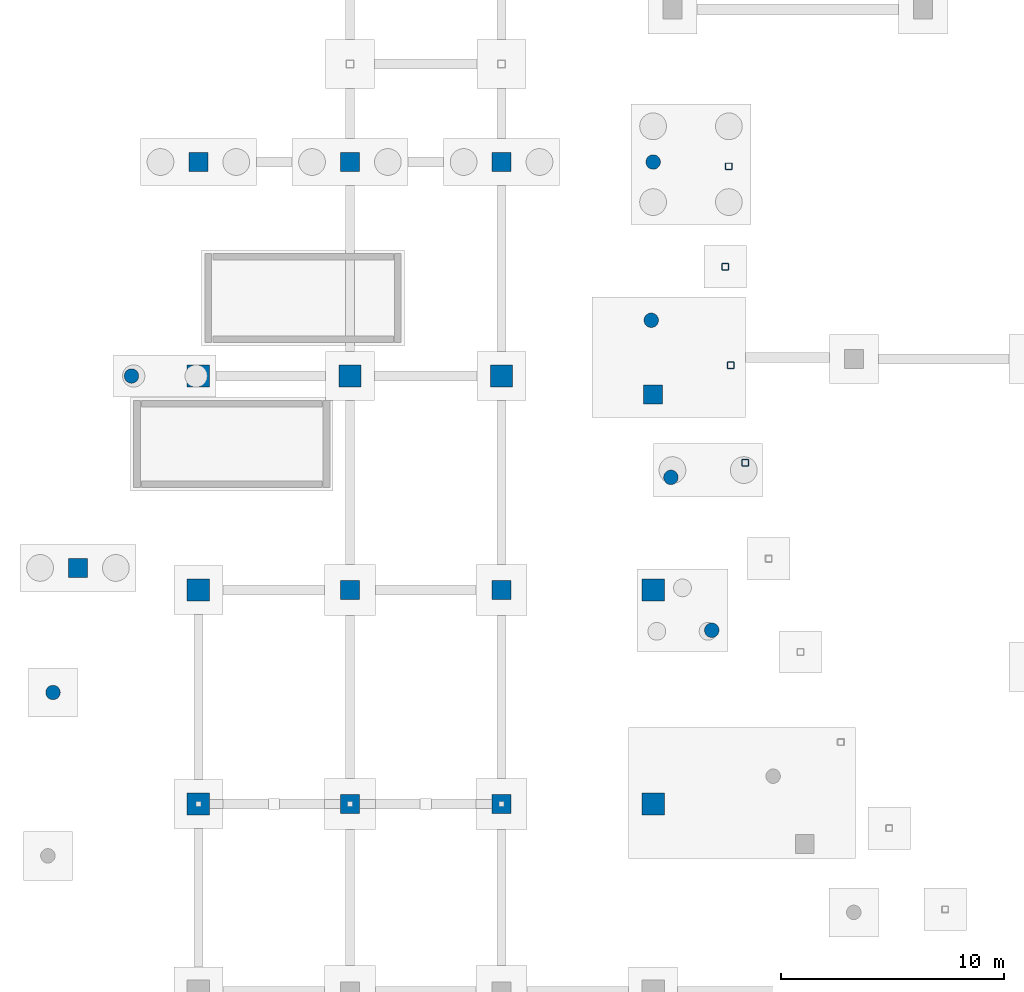
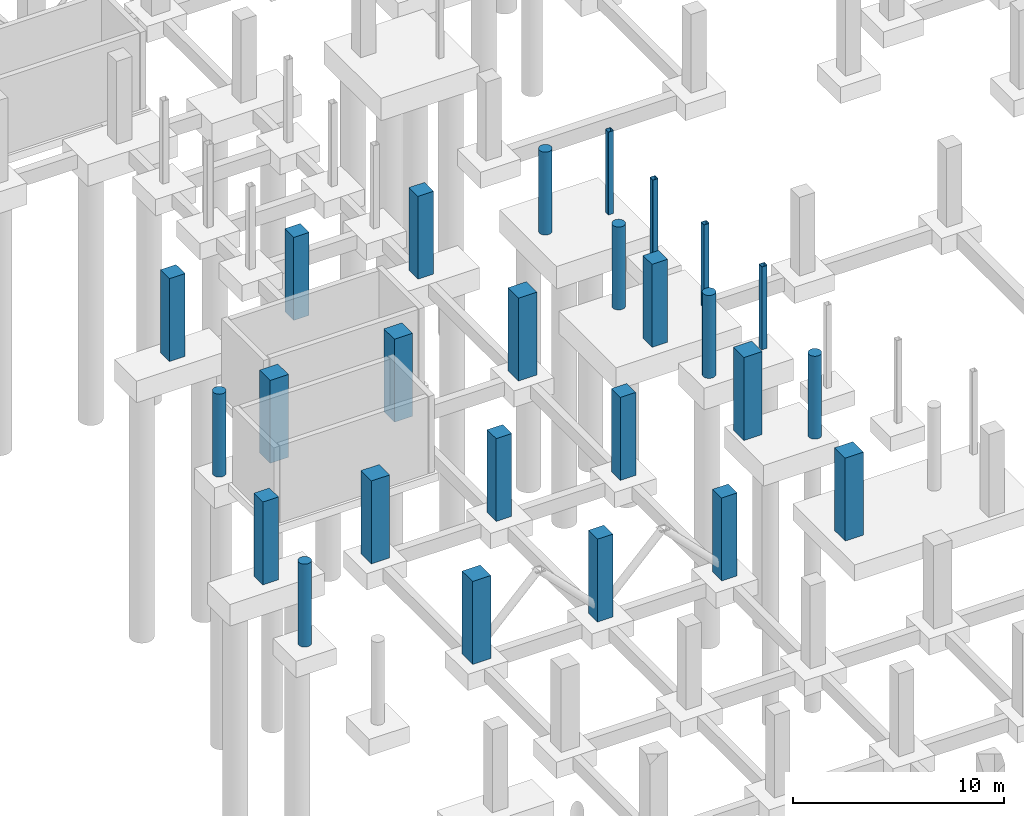
# One storey, part 10 of 44: 26 columns.
"""IFC4 building model written with IfcOpenShell, lengths in metres."""

from ifc_helpers import new_model, si_unit, direction, frame, origin, origin_2d, place, context, subcontext, project, spatial, rectangle, hollow_rectangle, circle, extrude, material, material_profile, profile_set, type_object, element, save


model = new_model("IFC4")

# Units and contexts
model_context = context("Model", 3, precision=1e-05, world=origin(), true_north=direction((0.0, 1.0)))
body_context = subcontext(model_context, "Body", "Model", "MODEL_VIEW")
ifc_project = project(units=[si_unit("LENGTHUNIT", "METRE"), si_unit("AREAUNIT", "SQUARE_METRE"), si_unit("VOLUMEUNIT", "CUBIC_METRE"), si_unit("PLANEANGLEUNIT", "RADIAN"), si_unit("MASSUNIT", "GRAM", prefix="KILO")], contexts=[model_context])

# Site, building, storey
site_placement = place(None, origin())
site = spatial("IfcSite", under=ifc_project, at=site_placement, CompositionType="ELEMENT")
building_placement = place(site_placement, origin())
building = spatial("IfcBuilding", under=site, at=building_placement, Name="Kisaragi Civic Commons", CompositionType="ELEMENT")
storey_placement = place(building_placement, frame((0.0, 0.0, -4.800048828125)))
storey = spatial("IfcBuildingStorey", under=building, at=storey_placement, Name="B1", CompositionType="ELEMENT", Elevation=-4.800048828125)

# Columns
ifc_material_1 = material(Name="Concrete Fc36", Category="concrete")
ifc_material_profile_1 = material_profile(ifc_material_1, rectangle(XDim=0.85009765625, YDim=0.85009765625, at=origin_2d()), Name="RC-850x850", Category="concrete")
ifc_profile_set_1 = profile_set([ifc_material_profile_1], Name="Concrete Fc36")
column_type_1 = type_object("IfcColumnType", Name="C-01", PredefinedType="COLUMN", material=ifc_profile_set_1)
for number, where, z_axis, x_axis, name in (
    (1, (13.60009765625, 33.60009765625, 0.0), (0.0, 0.0, 1.0), (1.0, 0.0, 0.0), "B1 column C-01 (13.6,33.6)"),
    (2, (13.60009765625, 43.199951171875, 0.0), (0.0, 0.0, 1.0), (1.0, 0.0, 0.0), "B1 column C-01 (13.6,43.2)"),
    (3, (20.39990234375, 33.60009765625, 0.0), (0.0, 0.0, 1.0), (1.0, 0.0, 0.0), "B1 column C-01 (20.4,33.6)"),
    (4, (20.39990234375, 43.199951171875, 0.0), (0.0, 0.0, 1.0), (1.0, 0.0, 0.0), "B1 column C-01 (20.4,43.2)"),
):
    element("IfcColumn", number, at=place(storey_placement, frame(where, z_axis=z_axis, x_axis=x_axis)), inside=storey, type_object=column_type_1, Name=name, PredefinedType="COLUMN", context=body_context, shape_type="SweptSolid", body=[
        extrude(rectangle(XDim=0.85009765625, YDim=0.85009765625, at=origin_2d()), origin(), (0.0, 0.0, 1.0), 4.800048828125),
    ])
ifc_material_profile_2 = material_profile(ifc_material_1, rectangle(XDim=0.85009765625, YDim=0.85009765625, at=origin_2d()), Name="RC-850x850", Category="concrete")
ifc_profile_set_2 = profile_set([ifc_material_profile_2], Name="Concrete Fc36")
column_type_2 = type_object("IfcColumnType", Name="C-05", PredefinedType="COLUMN", material=ifc_profile_set_2)
for number, where, z_axis, x_axis, name in (
    (5, (1.39990234375, 44.1923828125, 0.0), (0.0, 0.0, 1.0), (1.0, 0.0, 0.0), "B1 column C-05 (1.4,44.2)"),
    (6, (6.800048828125, 62.39990234375, 0.0), (0.0, 0.0, 1.0), (1.0, 0.0, 0.0), "B1 column C-05 (6.8,62.4)"),
    (7, (13.60009765625, 62.39990234375, 0.0), (0.0, 0.0, 1.0), (1.0, 0.0, 0.0), "B1 column C-05 (13.6,62.4)"),
    (8, (20.39990234375, 62.39990234375, 0.0), (0.0, 0.0, 1.0), (1.0, 0.0, 0.0), "B1 column C-05 (20.4,62.4)"),
    (9, (27.199951171875, 51.97900390625, 0.0), (0.0, 0.0, 1.0), (1.0, 0.0, 0.0), "B1 column C-05 (27.2,52.0)"),
):
    element("IfcColumn", number, at=place(storey_placement, frame(where, z_axis=z_axis, x_axis=x_axis)), inside=storey, type_object=column_type_2, Name=name, PredefinedType="COLUMN", context=body_context, shape_type="SweptSolid", body=[
        extrude(rectangle(XDim=0.85009765625, YDim=0.85009765625, at=origin_2d()), origin(), (0.0, 0.0, 1.0), 4.800048828125),
    ])
ifc_material_2 = material(Name="Concrete Fc30", Category="concrete")
ifc_material_profile_3 = material_profile(ifc_material_2, circle(Radius=0.324951171875, at=origin_2d()), Name="RC-D650", Category="concrete")
ifc_profile_set_3 = profile_set([ifc_material_profile_3], Name="Concrete Fc30")
column_type_3 = type_object("IfcColumnType", Name="C-12", PredefinedType="COLUMN", material=ifc_profile_set_3)
for number, where, z_axis, x_axis, name in (
    (10, (0.28125, 38.604248046875, 0.0), (0.0, 0.0, 1.0), (1.0, 0.0, 0.0), "B1 column C-12 (0.3,38.6)"),
    (11, (3.800048828125, 52.800048828125, 0.0), (0.0, 0.0, 1.0), (1.0, 0.0, 0.0), "B1 column C-12 (3.8,52.8)"),
    (12, (27.114501953125, 55.30029296875, 0.0), (0.0, 0.0, 1.0), (1.0, 0.0, 0.0), "B1 column C-12 (27.1,55.3)"),
    (13, (27.199951171875, 62.39990234375, 0.0), (0.0, 0.0, 1.0), (1.0, 0.0, 0.0), "B1 column C-12 (27.2,62.4)"),
    (14, (27.996826171875, 48.25537109375, 0.0), (0.0, 0.0, 1.0), (1.0, 0.0, 0.0), "B1 column C-12 (28.0,48.3)"),
    (15, (29.83056640625, 41.39599609375, 0.0), (0.0, 0.0, 1.0), (1.0, 0.0, 0.0), "B1 column C-12 (29.8,41.4)"),
):
    element("IfcColumn", number, at=place(storey_placement, frame(where, z_axis=z_axis, x_axis=x_axis)), inside=storey, type_object=column_type_3, Name=name, PredefinedType="COLUMN", context=body_context, shape_type="SweptSolid", body=[
        extrude(circle(Radius=0.324951171875, at=origin_2d()), origin(), (0.0, 0.0, 1.0), 4.800048828125),
    ])
ifc_material_3 = material(Name="Steel BCR295", Category="steel")
ifc_material_profile_4 = material_profile(ifc_material_3, hollow_rectangle(XDim=0.300048828125, YDim=0.300048828125, WallThickness=0.012939453125, InnerFilletRadius=0.012939453125, OuterFilletRadius=0.02587890625, at=origin_2d()), Name="BCR-300x300x13", Category="steel")
ifc_profile_set_4 = profile_set([ifc_material_profile_4], Name="Steel BCR295")
column_type_4 = type_object("IfcColumnType", Name="C-15", PredefinedType="COLUMN", material=ifc_profile_set_4)
for number, where, z_axis, x_axis, name in (
    (16, (30.434814453125, 57.703857421875, 0.0), (0.0, 0.0, 1.0), (1.0, 0.0, 0.0), "B1 column C-15 (30.4,57.7)"),
    (17, (30.594482421875, 62.204345703125, 0.0), (0.0, 0.0, 1.0), (1.0, 0.0, 0.0), "B1 column C-15 (30.6,62.2)"),
    (18, (30.683837890625, 53.284912109375, 0.0), (0.0, 0.0, 1.0), (1.0, 0.0, 0.0), "B1 column C-15 (30.7,53.3)"),
    (19, (31.333740234375, 48.9072265625, 0.0), (0.0, 0.0, 1.0), (1.0, 0.0, 0.0), "B1 column C-15 (31.3,48.9)"),
):
    element("IfcColumn", number, at=place(storey_placement, frame(where, z_axis=z_axis, x_axis=x_axis)), inside=storey, type_object=column_type_4, Name=name, PredefinedType="COLUMN", context=body_context, shape_type="SweptSolid", body=[
        extrude(hollow_rectangle(XDim=0.300048828125, YDim=0.300048828125, WallThickness=0.012939453125, InnerFilletRadius=0.012939453125, OuterFilletRadius=0.02587890625, at=origin_2d()), origin(), (0.0, 0.0, 1.0), 4.800048828125),
    ])
ifc_material_profile_5 = material_profile(ifc_material_1, rectangle(XDim=1.0, YDim=1.0, at=origin_2d()), Name="RC-1000x1000", Category="concrete")
ifc_profile_set_5 = profile_set([ifc_material_profile_5], Name="Concrete Fc36")
column_type_5 = type_object("IfcColumnType", Name="C-22", PredefinedType="COLUMN", material=ifc_profile_set_5)
for number, where, z_axis, x_axis, name in (
    (20, (6.800048828125, 33.60009765625, 0.0), (0.0, 0.0, 1.0), (1.0, 0.0, 0.0), "B1 column C-22 (6.8,33.6)"),
    (21, (6.800048828125, 43.199951171875, 0.0), (0.0, 0.0, 1.0), (1.0, 0.0, 0.0), "B1 column C-22 (6.8,43.2)"),
    (22, (6.800048828125, 52.800048828125, 0.0), (0.0, 0.0, 1.0), (1.0, 0.0, 0.0), "B1 column C-22 (6.8,52.8)"),
    (23, (13.60009765625, 52.800048828125, 0.0), (0.0, 0.0, 1.0), (1.0, 0.0, 0.0), "B1 column C-22 (13.6,52.8)"),
    (24, (20.39990234375, 52.800048828125, 0.0), (0.0, 0.0, 1.0), (1.0, 0.0, 0.0), "B1 column C-22 (20.4,52.8)"),
    (25, (27.199951171875, 33.60009765625, 0.0), (0.0, 0.0, 1.0), (1.0, 0.0, 0.0), "B1 column C-22 (27.2,33.6)"),
    (26, (27.199951171875, 43.199951171875, 0.0), (0.0, 0.0, 1.0), (1.0, 0.0, 0.0), "B1 column C-22 (27.2,43.2)"),
):
    element("IfcColumn", number, at=place(storey_placement, frame(where, z_axis=z_axis, x_axis=x_axis)), inside=storey, type_object=column_type_5, Name=name, PredefinedType="COLUMN", context=body_context, shape_type="SweptSolid", body=[
        extrude(rectangle(XDim=1.0, YDim=1.0, at=origin_2d()), origin(), (0.0, 0.0, 1.0), 4.800048828125),
    ])

save(model, "model.ifc")
